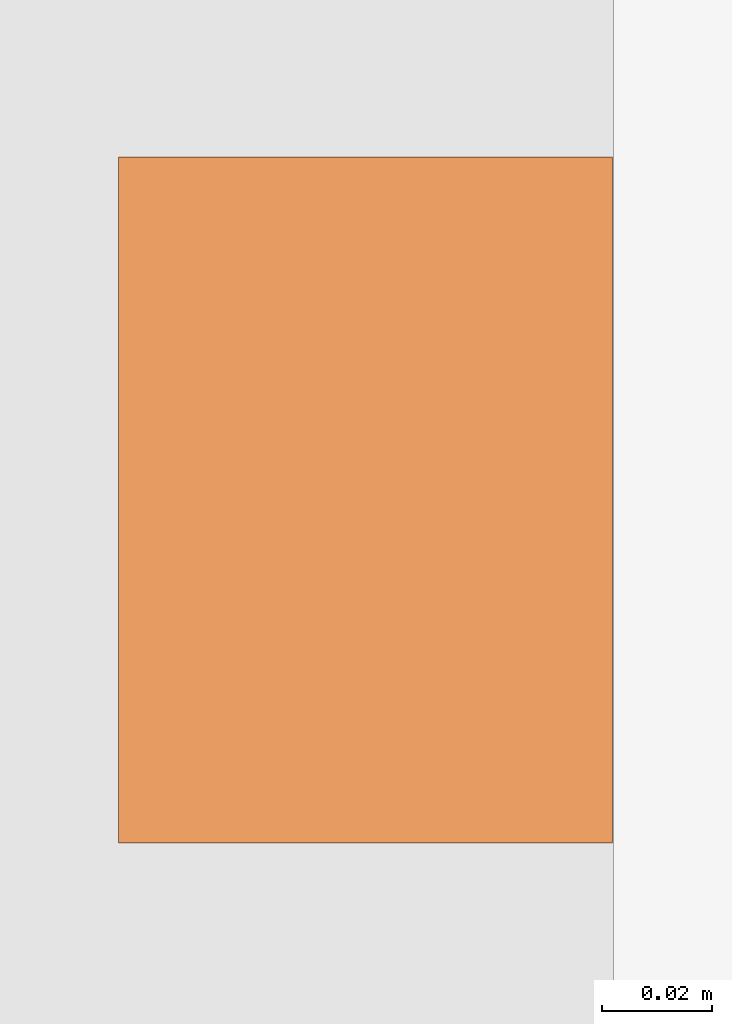
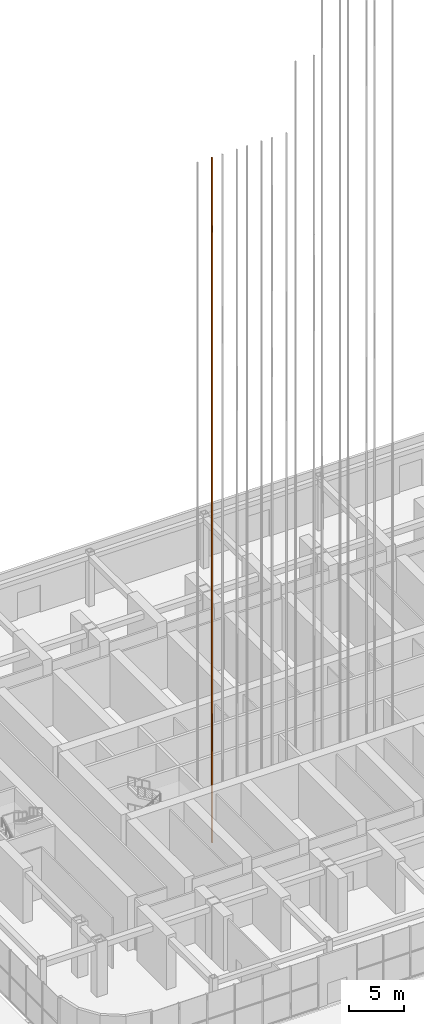
# One storey, part 43 of 57: 1 proxy.
"""IFC4 building model written with IfcOpenShell, lengths in metres."""

from ifc_helpers import new_model, si_unit, direction, frame, origin, origin_2d, place, context, subcontext, project, spatial, rectangle, extrude, material, element, save


model = new_model("IFC4")

# Units and contexts
model_context = context("Model", 3, precision=1e-05, world=origin(), true_north=direction((0.0, 1.0)))
body_context = subcontext(model_context, "Body", "Model", "MODEL_VIEW")
ifc_project = project(units=[si_unit("LENGTHUNIT", "METRE"), si_unit("AREAUNIT", "SQUARE_METRE"), si_unit("VOLUMEUNIT", "CUBIC_METRE"), si_unit("PLANEANGLEUNIT", "RADIAN"), si_unit("MASSUNIT", "GRAM", prefix="KILO")], contexts=[model_context])

# Site, building, storey
site_placement = place(None, origin())
site = spatial("IfcSite", under=ifc_project, at=site_placement, CompositionType="ELEMENT")
building_placement = place(site_placement, origin())
building = spatial("IfcBuilding", under=site, at=building_placement, Name="Orbita Commons", CompositionType="ELEMENT")
storey_placement = place(building_placement, origin())
storey = spatial("IfcBuildingStorey", under=building, at=storey_placement, Name="L00", CompositionType="ELEMENT", Elevation=0.0)

# Proxy
ifc_material = material(Name="Machined steel guide rail", Category="steel")
placement = place(storey_placement, frame((27.300048828125, 28.10009765625, 0.0), z_axis=(0.0, 0.0, 1.0), x_axis=(1.0, 0.0, 0.0)))
proxy_placement = place(placement, frame((0.7548828125, 0.0, -1.800048828125)))
element("IfcBuildingElementProxy", 1, at=proxy_placement, inside=storey, material=ifc_material, Name="P11 guide rail 2", ObjectType="GUIDE RAIL", PredefinedType="USERDEFINED", context=body_context, shape_type="SweptSolid", body=[
    extrude(rectangle(XDim=0.09, YDim=0.125, at=origin_2d()), origin(), (0.0, 0.0, 1.0), 75.85009765625),
])

save(model, "model.ifc")
